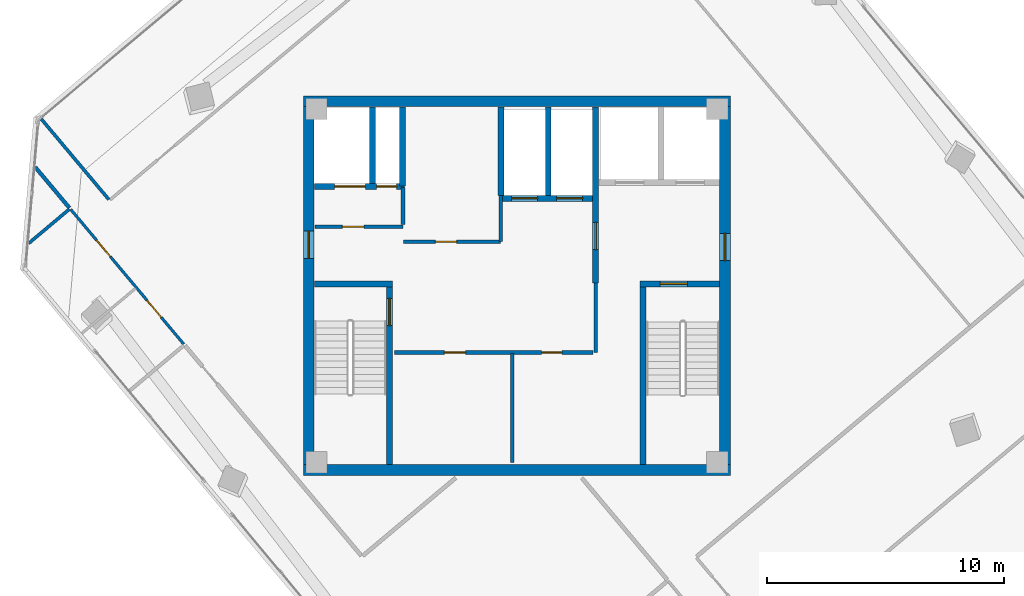
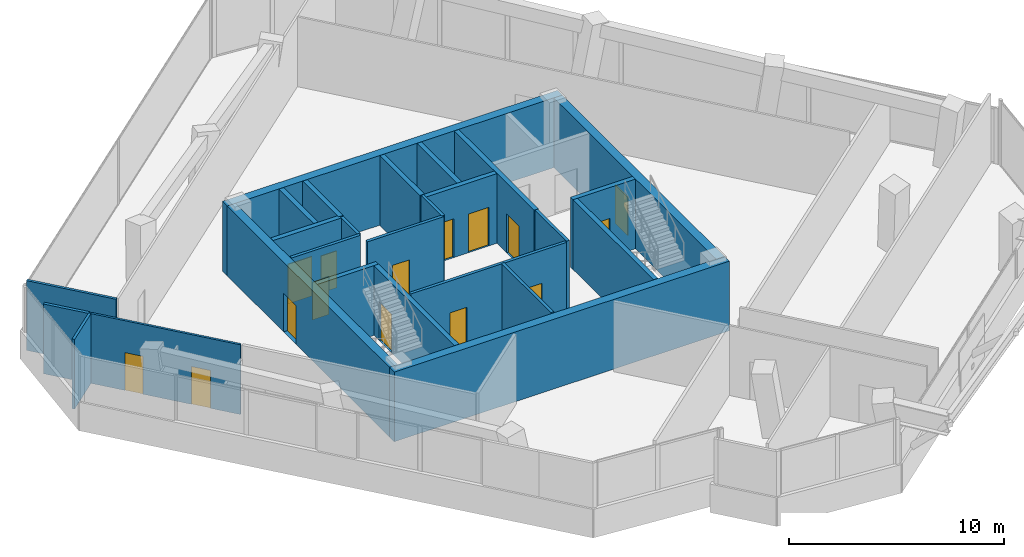
# One storey, part 13 of 17: 26 walls, 15 doors, 15 openings.
"""IFC4 building model written with IfcOpenShell, lengths in metres."""

from ifc_helpers import new_model, si_unit, direction, frame, frame_2d, origin, place, context, subcontext, project, spatial, rectangle, extrude, source, transform, mapped, material, layer, layer_set, type_object, element, fill, save


model = new_model("IFC4")

# Units and contexts
model_context = context("Model", 3, precision=1e-05, world=origin(), true_north=direction((0.0, 1.0)))
body_context = subcontext(model_context, "Body", "Model", "MODEL_VIEW")
ifc_project = project(units=[si_unit("LENGTHUNIT", "METRE"), si_unit("AREAUNIT", "SQUARE_METRE"), si_unit("VOLUMEUNIT", "CUBIC_METRE"), si_unit("PLANEANGLEUNIT", "RADIAN"), si_unit("MASSUNIT", "GRAM", prefix="KILO")], contexts=[model_context])

# Site, building, storey
site_placement = place(None, origin())
site = spatial("IfcSite", under=ifc_project, at=site_placement, CompositionType="ELEMENT")
building_placement = place(site_placement, origin())
building = spatial("IfcBuilding", under=site, at=building_placement, Name="Torre Montelarca", CompositionType="ELEMENT")
storey_placement = place(building_placement, frame((0.0, 0.0, 275.199951171875)))
storey = spatial("IfcBuildingStorey", under=building, at=storey_placement, Name="L62", CompositionType="ELEMENT", Elevation=275.199951171875)

# Wall, opening, door
ifc_material_1 = material(Name="Concrete C40/50", Category="concrete")
ifc_layer_1 = layer(ifc_material_1, 0.25, Name="Concrete C40/50", Category="concrete")
ifc_layer_set_1 = layer_set([ifc_layer_1], Name="Concrete C40/50")
wall_type_1 = type_object("IfcWallType", Name="CW-SHAFT-250", PredefinedType="SHEAR", material=ifc_layer_set_1)
wall_1_placement = place(storey_placement, frame((12.625, 24.4599609375, 0.0), z_axis=(0.0, 0.0, 1.0), x_axis=(0.0, 1.0, 0.0)))
wall_1 = element("IfcWall", 1, at=wall_1_placement, inside=storey, type_object=wall_type_1, Name="L62 Core Shear Wall SH-ST1-E", PredefinedType="SHEAR", context=body_context, shape_type="SweptSolid", body=[
    extrude(rectangle(XDim=7.489990234375, YDim=0.25, at=frame_2d((3.7451171875, 0.0))), origin(), (0.0, 0.0, 1.0), 3.9599609375),
])
opening_1_placement = place(wall_1_placement, frame((5.85009765625, 0.0, 0.0)))
opening_1 = element("IfcOpeningElement", 2, at=opening_1_placement, cuts=wall_1, Name="Opening FD-ST1", PredefinedType="OPENING", context=body_context, shape_type="SweptSolid", body=[
    extrude(rectangle(XDim=1.14990234375, YDim=2.199951171875, at=frame_2d((0.574951171875, 1.10009765625))), frame((0.0, 0.135009765625, 0.0), z_axis=(0.0, -1.0, 0.0), x_axis=(1.0, 0.0, 0.0)), (0.0, 0.0, 1.0), 0.27001953125),
])
ifc_material_2 = material(Name="Galvanized steel fire door", Category="steel")
door_type_1 = type_object("IfcDoorType", Name="DR-STAIR-115", OperationType="NOTDEFINED", PredefinedType="DOOR", material=ifc_material_2)
shared_shape_1 = source(origin(), body_context, "Body", "SweptSolid", [
    extrude(rectangle(XDim=1.14990234375, YDim=2.199951171875, at=frame_2d((0.574951171875, 1.10009765625))), frame((0.0, 0.02490234375, 0.0), z_axis=(0.0, -1.0, 0.0), x_axis=(1.0, 0.0, 0.0)), (0.0, 0.0, 1.0), 0.050048828125),
])
door_1_placement = place(opening_1_placement, origin())
door_1 = element("IfcDoor", 3, at=door_1_placement, inside=storey, type_object=door_type_1, Name="L62 Exit Stair ST1 Fire Door", OperationType="SINGLE_SWING_RIGHT", OverallHeight=2.199951171875, OverallWidth=1.14990234375, PredefinedType="DOOR", context=body_context, shape_type="MappedRepresentation", body=[
    mapped(shared_shape_1, transform((0.0, 0.0, 0.0), scale=1.0)),
])
fill(opening_1, door_1)

# Walls
wall_2_placement = place(storey_placement, frame((9.4599609375, 32.074951171875, 0.0), z_axis=(0.0, 0.0, 1.0), x_axis=(1.0, 0.0, 0.0)))
element("IfcWall", 4, at=wall_2_placement, inside=storey, type_object=wall_type_1, Name="L62 Core Shear Wall SH-ST1-N", PredefinedType="SHEAR", context=body_context, shape_type="SweptSolid", body=[
    extrude(rectangle(XDim=3.2900390625, YDim=0.25, at=frame_2d((1.64501953125, 0.0))), origin(), (0.0, 0.0, 1.0), 3.9599609375),
])
wall_3_placement = place(storey_placement, frame((23.31494140625, 24.4599609375, 0.0), z_axis=(0.0, 0.0, 1.0), x_axis=(0.0, 1.0, 0.0)))
element("IfcWall", 5, at=wall_3_placement, inside=storey, type_object=wall_type_1, Name="L62 Core Shear Wall SH-ST2-W", PredefinedType="SHEAR", context=body_context, shape_type="SweptSolid", body=[
    extrude(rectangle(XDim=7.489990234375, YDim=0.25, at=frame_2d((3.7451171875, 0.0))), origin(), (0.0, 0.0, 1.0), 3.9599609375),
])

# Wall, opening, door
wall_4_placement = place(storey_placement, frame((23.18994140625, 32.074951171875, 0.0), z_axis=(0.0, 0.0, 1.0), x_axis=(1.0, 0.0, 0.0)))
wall_4 = element("IfcWall", 6, at=wall_4_placement, inside=storey, type_object=wall_type_1, Name="L62 Core Shear Wall SH-ST2-N", PredefinedType="SHEAR", context=body_context, shape_type="SweptSolid", body=[
    extrude(rectangle(XDim=3.35009765625, YDim=0.25, at=frame_2d((1.675048828125, 0.0))), origin(), (0.0, 0.0, 1.0), 3.9599609375),
])
opening_2_placement = place(wall_4_placement, frame((0.85009765625, 0.0, 0.0)))
opening_2 = element("IfcOpeningElement", 7, at=opening_2_placement, cuts=wall_4, Name="Opening FD-ST1", PredefinedType="OPENING", context=body_context, shape_type="SweptSolid", body=[
    extrude(rectangle(XDim=1.14990234375, YDim=2.199951171875, at=frame_2d((0.574951171875, 1.10009765625))), frame((0.0, 0.135009765625, 0.0), z_axis=(0.0, -1.0, 0.0), x_axis=(1.0, 0.0, 0.0)), (0.0, 0.0, 1.0), 0.27001953125),
])
door_2_placement = place(opening_2_placement, origin())
door_2 = element("IfcDoor", 8, at=door_2_placement, inside=storey, type_object=door_type_1, Name="L62 Exit Stair ST2 Fire Door", OperationType="SINGLE_SWING_RIGHT", OverallHeight=2.199951171875, OverallWidth=1.14990234375, PredefinedType="DOOR", context=body_context, shape_type="MappedRepresentation", body=[
    mapped(shared_shape_1, transform((0.0, 0.0, 0.0), scale=1.0)),
])
fill(opening_2, door_2)

wall_5_placement = place(storey_placement, frame((21.320068359375, 32.1201171875, 0.0), z_axis=(0.0, 0.0, 1.0), x_axis=(0.0, 1.0, 0.0)))
wall_5 = element("IfcWall", 9, at=wall_5_placement, inside=storey, type_object=wall_type_1, Name="L62 Core Shear Wall SH-FFL-W", PredefinedType="SHEAR", context=body_context, shape_type="SweptSolid", body=[
    extrude(rectangle(XDim=7.419921875, YDim=0.25, at=frame_2d((3.7099609375, 0.0))), origin(), (0.0, 0.0, 1.0), 3.9599609375),
])
opening_3_placement = place(wall_5_placement, frame((1.39990234375, 0.0, 0.0)))
opening_3 = element("IfcOpeningElement", 10, at=opening_3_placement, cuts=wall_5, Name="Opening FD-LB1", PredefinedType="OPENING", context=body_context, shape_type="SweptSolid", body=[
    extrude(rectangle(XDim=1.14990234375, YDim=2.199951171875, at=frame_2d((0.574951171875, 1.10009765625))), frame((0.0, 0.135009765625, 0.0), z_axis=(0.0, -1.0, 0.0), x_axis=(1.0, 0.0, 0.0)), (0.0, 0.0, 1.0), 0.27001953125),
])
ifc_material_3 = material(Name="Acoustic timber-veneered fire door", Category="wood")
door_type_2 = type_object("IfcDoorType", Name="DR-LOBBY-115", OperationType="NOTDEFINED", PredefinedType="DOOR", material=ifc_material_3)
shared_shape_2 = source(origin(), body_context, "Body", "SweptSolid", [
    extrude(rectangle(XDim=1.14990234375, YDim=2.199951171875, at=frame_2d((0.574951171875, 1.10009765625))), frame((0.0, 0.02490234375, 0.0), z_axis=(0.0, -1.0, 0.0), x_axis=(1.0, 0.0, 0.0)), (0.0, 0.0, 1.0), 0.050048828125),
])
door_3_placement = place(opening_3_placement, origin())
door_3 = element("IfcDoor", 11, at=door_3_placement, inside=storey, type_object=door_type_2, Name="L62 Lift Lobby to Firefighting Lobby Smoke Door", OperationType="SINGLE_SWING_LEFT", OverallHeight=2.199951171875, OverallWidth=1.14990234375, PredefinedType="DOOR", context=body_context, shape_type="MappedRepresentation", body=[
    mapped(shared_shape_2, transform((0.0, 0.0, 0.0), scale=1.0)),
])
fill(opening_3, door_3)

# Wall, openings, doors
wall_6_placement = place(storey_placement, frame((9.4599609375, 36.179931640625, 0.0), z_axis=(0.0, 0.0, 1.0), x_axis=(1.0, 0.0, 0.0)))
wall_6 = element("IfcWall", 12, at=wall_6_placement, inside=storey, type_object=wall_type_1, Name="L62 Core Shear Wall SH-SV1-S", PredefinedType="SHEAR", context=body_context, shape_type="SweptSolid", body=[
    extrude(rectangle(XDim=3.7900390625, YDim=0.25, at=frame_2d((1.89501953125, 0.0))), origin(), (0.0, 0.0, 1.0), 3.9599609375),
])
opening_4_placement = place(wall_6_placement, frame((2.6201171875, 0.0, 0.0)))
opening_4 = element("IfcOpeningElement", 13, at=opening_4_placement, cuts=wall_6, Name="Opening FD-085", PredefinedType="OPENING", context=body_context, shape_type="SweptSolid", body=[
    extrude(rectangle(XDim=0.85009765625, YDim=2.10009765625, at=frame_2d((0.425048828125, 1.050048828125))), frame((0.0, 0.135009765625, 0.0), z_axis=(0.0, -1.0, 0.0), x_axis=(1.0, 0.0, 0.0)), (0.0, 0.0, 1.0), 0.27001953125),
])
opening_5_placement = place(wall_6_placement, frame((0.85009765625, 0.0, 0.0)))
opening_5 = element("IfcOpeningElement", 14, at=opening_5_placement, cuts=wall_6, Name="Opening LD-130", PredefinedType="OPENING", context=body_context, shape_type="SweptSolid", body=[
    extrude(rectangle(XDim=1.300048828125, YDim=2.25, at=frame_2d((0.64990234375, 1.125))), frame((0.0, 0.135009765625, 0.0), z_axis=(0.0, -1.0, 0.0), x_axis=(1.0, 0.0, 0.0)), (0.0, 0.0, 1.0), 0.27001953125),
])
ifc_material_4 = material(Name="Steel riser access fire door", Category="steel")
door_type_3 = type_object("IfcDoorType", Name="DR-RISER-085", OperationType="NOTDEFINED", PredefinedType="DOOR", material=ifc_material_4)
shared_shape_3 = source(origin(), body_context, "Body", "SweptSolid", [
    extrude(rectangle(XDim=0.85009765625, YDim=2.10009765625, at=frame_2d((0.425048828125, 1.050048828125))), frame((0.0, 0.02490234375, 0.0), z_axis=(0.0, -1.0, 0.0), x_axis=(1.0, 0.0, 0.0)), (0.0, 0.0, 1.0), 0.050048828125),
])
door_4_placement = place(opening_4_placement, origin())
door_4 = element("IfcDoor", 15, at=door_4_placement, inside=storey, type_object=door_type_3, Name="L62 Electrical Riser Shaft Access Door", OperationType="SINGLE_SWING_RIGHT", OverallHeight=2.10009765625, OverallWidth=0.85009765625, PredefinedType="DOOR", context=body_context, shape_type="MappedRepresentation", body=[
    mapped(shared_shape_3, transform((0.0, 0.0, 0.0), scale=1.0)),
])
fill(opening_4, door_4)
ifc_material_5 = material(Name="Brushed stainless steel AISI 316", Category="steel")
door_type_4 = type_object("IfcDoorType", Name="DR-LIFT-130", OperationType="SLIDING_TO_LEFT", PredefinedType="DOOR", material=ifc_material_5)
shared_shape_4 = source(origin(), body_context, "Body", "SweptSolid", [
    extrude(rectangle(XDim=1.300048828125, YDim=2.25, at=frame_2d((0.64990234375, 1.125))), frame((0.0, 0.02490234375, 0.0), z_axis=(0.0, -1.0, 0.0), x_axis=(1.0, 0.0, 0.0)), (0.0, 0.0, 1.0), 0.050048828125),
])
door_5_placement = place(opening_5_placement, origin())
door_5 = element("IfcDoor", 16, at=door_5_placement, inside=storey, type_object=door_type_4, Name="L62 Lift Landing Sliding Door SV-1", OperationType="SLIDING_TO_LEFT", OverallHeight=2.25, OverallWidth=1.300048828125, PredefinedType="DOOR", context=body_context, shape_type="MappedRepresentation", body=[
    mapped(shared_shape_4, transform((0.0, 0.0, 0.0), scale=1.0)),
])
fill(opening_5, door_5)

# Walls
wall_7_placement = place(storey_placement, frame((11.89990234375, 36.31005859375, 0.0), z_axis=(0.0, 0.0, 1.0), x_axis=(0.0, 1.0, 0.0)))
element("IfcWall", 17, at=wall_7_placement, inside=storey, type_object=wall_type_1, Name="L62 Core Shear Wall SH-SV1-E", PredefinedType="SHEAR", context=body_context, shape_type="SweptSolid", body=[
    extrude(rectangle(XDim=3.22998046875, YDim=0.25, at=frame_2d((1.614990234375, 0.0))), origin(), (0.0, 0.0, 1.0), 3.9599609375),
])
wall_8_placement = place(storey_placement, frame((13.179931640625, 36.199951171875, 0.0), z_axis=(0.0, 0.0, 1.0), x_axis=(0.0, 1.0, 0.0)))
element("IfcWall", 18, at=wall_8_placement, inside=storey, type_object=wall_type_1, Name="L62 Core Shear Wall SH-RSR1-E", PredefinedType="SHEAR", context=body_context, shape_type="SweptSolid", body=[
    extrude(rectangle(XDim=3.340087890625, YDim=0.25, at=frame_2d((1.669921875, 0.0))), origin(), (0.0, 0.0, 1.0), 3.9599609375),
])

# Wall, openings, doors
wall_9_placement = place(storey_placement, frame((17.320068359375, 35.679931640625, 0.0), z_axis=(0.0, 0.0, 1.0), x_axis=(1.0, 0.0, 0.0)))
wall_9 = element("IfcWall", 19, at=wall_9_placement, inside=storey, type_object=wall_type_1, Name="L62 Core Shear Wall SH-PLH-S", PredefinedType="SHEAR", context=body_context, shape_type="SweptSolid", body=[
    extrude(rectangle(XDim=3.869873046875, YDim=0.25, at=frame_2d((1.93505859375, 0.0))), origin(), (0.0, 0.0, 1.0), 3.9599609375),
])
opening_6_placement = place(wall_9_placement, frame((0.449951171875, 0.0, 0.0)))
opening_6 = element("IfcOpeningElement", 20, at=opening_6_placement, cuts=wall_9, Name="Opening LD-110", PredefinedType="OPENING", context=body_context, shape_type="SweptSolid", body=[
    extrude(rectangle(XDim=1.10009765625, YDim=2.199951171875, at=frame_2d((0.550048828125, 1.10009765625))), frame((0.0, 0.135009765625, 0.0), z_axis=(0.0, -1.0, 0.0), x_axis=(1.0, 0.0, 0.0)), (0.0, 0.0, 1.0), 0.27001953125),
])
opening_7_placement = place(wall_9_placement, frame((2.35009765625, 0.0, 0.0)))
opening_7 = element("IfcOpeningElement", 21, at=opening_7_placement, cuts=wall_9, Name="Opening LD-110", PredefinedType="OPENING", context=body_context, shape_type="SweptSolid", body=[
    extrude(rectangle(XDim=1.10009765625, YDim=2.199951171875, at=frame_2d((0.550048828125, 1.10009765625))), frame((0.0, 0.135009765625, 0.0), z_axis=(0.0, -1.0, 0.0), x_axis=(1.0, 0.0, 0.0)), (0.0, 0.0, 1.0), 0.27001953125),
])
door_type_5 = type_object("IfcDoorType", Name="DR-LIFT-110", OperationType="SLIDING_TO_LEFT", PredefinedType="DOOR", material=ifc_material_5)
shared_shape_5 = source(origin(), body_context, "Body", "SweptSolid", [
    extrude(rectangle(XDim=1.10009765625, YDim=2.199951171875, at=frame_2d((0.550048828125, 1.10009765625))), frame((0.0, 0.02490234375, 0.0), z_axis=(0.0, -1.0, 0.0), x_axis=(1.0, 0.0, 0.0)), (0.0, 0.0, 1.0), 0.050048828125),
])
door_6_placement = place(opening_6_placement, origin())
door_6 = element("IfcDoor", 22, at=door_6_placement, inside=storey, type_object=door_type_5, Name="L62 Lift Landing Sliding Door PL-H1", OperationType="SLIDING_TO_LEFT", OverallHeight=2.199951171875, OverallWidth=1.10009765625, PredefinedType="DOOR", context=body_context, shape_type="MappedRepresentation", body=[
    mapped(shared_shape_5, transform((0.0, 0.0, 0.0), scale=1.0)),
])
fill(opening_6, door_6)
door_7_placement = place(opening_7_placement, origin())
door_7 = element("IfcDoor", 23, at=door_7_placement, inside=storey, type_object=door_type_5, Name="L62 Lift Landing Sliding Door PL-H2", OperationType="SLIDING_TO_RIGHT", OverallHeight=2.199951171875, OverallWidth=1.10009765625, PredefinedType="DOOR", context=body_context, shape_type="MappedRepresentation", body=[
    mapped(shared_shape_5, transform((0.0, 0.0, 0.0), scale=1.0)),
])
fill(opening_7, door_7)

# Walls
for number, where, z_axis, x_axis, name in (
    (24, (17.320068359375, 35.81005859375, 0.0), (0.0, 0.0, 1.0), (0.0, 1.0, 0.0), "L62 Core Shear Wall SH-PLH-W"),
    (25, (19.320068359375, 35.81005859375, 0.0), (0.0, 0.0, 1.0), (0.0, 1.0, 0.0), "L62 Core Shear Wall SH-PLH-M"),
):
    element("IfcWall", number, at=place(storey_placement, frame(where, z_axis=z_axis, x_axis=x_axis)), inside=storey, type_object=wall_type_1, Name=name, PredefinedType="SHEAR", context=body_context, shape_type="SweptSolid", body=[
        extrude(rectangle(XDim=3.72998046875, YDim=0.25, at=frame_2d((1.864990234375, 0.0))), origin(), (0.0, 0.0, 1.0), 3.9599609375),
    ])

# Wall, opening, door
ifc_material_6 = material(Name="Concrete C55/67", Category="concrete")
ifc_layer_2 = layer(ifc_material_6, 0.449951171875, Name="Concrete C55/67", Category="concrete")
ifc_layer_set_2 = layer_set([ifc_layer_2], Name="Concrete C55/67")
wall_type_2 = type_object("IfcWallType", Name="CW-SHEAR-450", PredefinedType="SHEAR", material=ifc_layer_set_2)
wall_10_placement = place(storey_placement, frame((9.22509765625, 24.449951171875, 0.0), z_axis=(0.0, 0.0, 1.0), x_axis=(0.0, 1.0, 0.0)))
wall_10 = element("IfcWall", 26, at=wall_10_placement, inside=storey, type_object=wall_type_2, Name="L62 Core Shear Wall CW-W", PredefinedType="SHEAR", context=body_context, shape_type="SweptSolid", body=[
    extrude(rectangle(XDim=15.10009765625, YDim=0.449951171875, at=frame_2d((7.550048828125, 0.0))), origin(), (0.0, 0.0, 1.0), 3.9599609375),
])
opening_8_placement = place(wall_10_placement, frame((8.699951171875, 0.0, 0.0)))
opening_8 = element("IfcOpeningElement", 27, at=opening_8_placement, cuts=wall_10, Name="Opening FD-LB1", PredefinedType="OPENING", context=body_context, shape_type="SweptSolid", body=[
    extrude(rectangle(XDim=1.14990234375, YDim=2.199951171875, at=frame_2d((0.574951171875, 1.10009765625))), frame((0.0, 0.23486328125, 0.0), z_axis=(0.0, -1.0, 0.0), x_axis=(1.0, 0.0, 0.0)), (0.0, 0.0, 1.0), 0.469970703125),
])
door_8_placement = place(opening_8_placement, origin())
door_8 = element("IfcDoor", 28, at=door_8_placement, inside=storey, type_object=door_type_2, Name="L62 Passenger Lift Lobby West Corridor Fire Door", OperationType="SINGLE_SWING_RIGHT", OverallHeight=2.199951171875, OverallWidth=1.14990234375, PredefinedType="DOOR", context=body_context, shape_type="MappedRepresentation", body=[
    mapped(shared_shape_2, transform((0.0, 0.0, 0.0), scale=1.0)),
])
fill(opening_8, door_8)

wall_11_placement = place(storey_placement, frame((26.77490234375, 24.449951171875, 0.0), z_axis=(0.0, 0.0, 1.0), x_axis=(0.0, 1.0, 0.0)))
wall_11 = element("IfcWall", 29, at=wall_11_placement, inside=storey, type_object=wall_type_2, Name="L62 Core Shear Wall CW-E", PredefinedType="SHEAR", context=body_context, shape_type="SweptSolid", body=[
    extrude(rectangle(XDim=15.10009765625, YDim=0.449951171875, at=frame_2d((7.550048828125, 0.0))), origin(), (0.0, 0.0, 1.0), 3.9599609375),
])
opening_9_placement = place(wall_11_placement, frame((8.60009765625, 0.0, 0.0)))
opening_9 = element("IfcOpeningElement", 30, at=opening_9_placement, cuts=wall_11, Name="Opening FD-LB1", PredefinedType="OPENING", context=body_context, shape_type="SweptSolid", body=[
    extrude(rectangle(XDim=1.14990234375, YDim=2.199951171875, at=frame_2d((0.574951171875, 1.10009765625))), frame((0.0, 0.23486328125, 0.0), z_axis=(0.0, -1.0, 0.0), x_axis=(1.0, 0.0, 0.0)), (0.0, 0.0, 1.0), 0.469970703125),
])
door_9_placement = place(opening_9_placement, origin())
door_9 = element("IfcDoor", 31, at=door_9_placement, inside=storey, type_object=door_type_2, Name="L62 Firefighting Lift Lobby Corridor Fire Door", OperationType="SINGLE_SWING_RIGHT", OverallHeight=2.199951171875, OverallWidth=1.14990234375, PredefinedType="DOOR", context=body_context, shape_type="MappedRepresentation", body=[
    mapped(shared_shape_2, transform((0.0, 0.0, 0.0), scale=1.0)),
])
fill(opening_9, door_9)

# Walls
for number, where, z_axis, x_axis, name in (
    (32, (9.0, 24.22509765625, 0.0), (0.0, 0.0, 1.0), (1.0, 0.0, 0.0), "L62 Core Shear Wall CW-S1"),
    (33, (9.0, 39.77490234375, 0.0), (0.0, 0.0, 1.0), (1.0, 0.0, 0.0), "L62 Core Shear Wall CW-N1"),
):
    element("IfcWall", number, at=place(storey_placement, frame(where, z_axis=z_axis, x_axis=x_axis)), inside=storey, type_object=wall_type_2, Name=name, PredefinedType="SHEAR", context=body_context, shape_type="SweptSolid", body=[
        extrude(rectangle(XDim=18.0, YDim=0.449951171875, at=frame_2d((9.0, 0.0))), origin(), (0.0, 0.0, 1.0), 3.9599609375),
    ])

# Wall, opening, door
ifc_material_7 = material(Name="Gypsum plasterboard on steel stud", Category="steel")
ifc_layer_3 = layer(ifc_material_7, 0.159912109375, Name="Gypsum plasterboard on steel stud", Category="steel")
ifc_layer_set_3 = layer_set([ifc_layer_3], Name="Gypsum plasterboard on steel stud")
wall_type_3 = type_object("IfcWallType", Name="PW-FIRE-160", PredefinedType="PARTITIONING", material=ifc_layer_set_3)
wall_12_placement = place(storey_placement, frame((9.489990234375, 34.47998046875, 0.0), z_axis=(0.0, 0.0, 1.0), x_axis=(1.0, 0.0, 0.0)))
wall_12 = element("IfcWall", 34, at=wall_12_placement, inside=storey, type_object=wall_type_3, Name="L62 Interior Partition CW-L62-SVS", PredefinedType="PARTITIONING", context=body_context, shape_type="SweptSolid", body=[
    extrude(rectangle(XDim=3.699951171875, YDim=0.159912109375, at=frame_2d((1.85009765625, 0.0))), origin(), (0.0, 0.0, 1.0), 3.9599609375),
])
opening_10_placement = place(wall_12_placement, frame((1.14990234375, 0.0, 0.0)))
opening_10 = element("IfcOpeningElement", 35, at=opening_10_placement, cuts=wall_12, Name="Opening FD-090", PredefinedType="OPENING", context=body_context, shape_type="SweptSolid", body=[
    extrude(rectangle(XDim=0.89990234375, YDim=2.14990234375, at=frame_2d((0.449951171875, 1.074951171875))), frame((0.0, 0.08984375, 0.0), z_axis=(0.0, -1.0, 0.0), x_axis=(1.0, 0.0, 0.0)), (0.0, 0.0, 1.0), 0.179931640625),
])
ifc_material_8 = material(Name="Steel service fire door", Category="steel")
door_type_6 = type_object("IfcDoorType", Name="DR-FIRE-090", OperationType="NOTDEFINED", PredefinedType="DOOR", material=ifc_material_8)
shared_shape_6 = source(origin(), body_context, "Body", "SweptSolid", [
    extrude(rectangle(XDim=0.89990234375, YDim=2.14990234375, at=frame_2d((0.449951171875, 1.074951171875))), frame((0.0, 0.02490234375, 0.0), z_axis=(0.0, -1.0, 0.0), x_axis=(1.0, 0.0, 0.0)), (0.0, 0.0, 1.0), 0.050048828125),
])
door_10_placement = place(opening_10_placement, origin())
door_10 = element("IfcDoor", 36, at=door_10_placement, inside=storey, type_object=door_type_6, Name="L62 Interior Door 01", OperationType="SINGLE_SWING_RIGHT", OverallHeight=2.14990234375, OverallWidth=0.89990234375, PredefinedType="DOOR", context=body_context, shape_type="MappedRepresentation", body=[
    mapped(shared_shape_6, transform((0.0, 0.0, 0.0), scale=1.0)),
])
fill(opening_10, door_10)

# Wall
wall_13_placement = place(storey_placement, frame((13.199951171875, 34.570068359375, 0.0), z_axis=(0.0, 0.0, 1.0), x_axis=(0.0, 1.0, 0.0)))
element("IfcWall", 37, at=wall_13_placement, inside=storey, type_object=wall_type_3, Name="L62 Interior Partition CW-L62-SVE", PredefinedType="PARTITIONING", context=body_context, shape_type="SweptSolid", body=[
    extrude(rectangle(XDim=1.56982421875, YDim=0.159912109375, at=frame_2d((0.784912109375, 0.0))), origin(), (0.0, 0.0, 1.0), 3.9599609375),
])

# Wall, opening, door
wall_14_placement = place(storey_placement, frame((13.2099609375, 33.85009765625, 0.0), z_axis=(0.0, 0.0, 1.0), x_axis=(1.0, 0.0, 0.0)))
wall_14 = element("IfcWall", 38, at=wall_14_placement, inside=storey, type_object=wall_type_3, Name="L62 Interior Partition CW-L62-FRMS", PredefinedType="PARTITIONING", context=body_context, shape_type="SweptSolid", body=[
    extrude(rectangle(XDim=4.10009765625, YDim=0.159912109375, at=frame_2d((2.050048828125, 0.0))), origin(), (0.0, 0.0, 1.0), 3.9599609375),
])
opening_11_placement = place(wall_14_placement, frame((1.35009765625, 0.0, 0.0)))
opening_11 = element("IfcOpeningElement", 39, at=opening_11_placement, cuts=wall_14, Name="Opening FD-090", PredefinedType="OPENING", context=body_context, shape_type="SweptSolid", body=[
    extrude(rectangle(XDim=0.89990234375, YDim=2.14990234375, at=frame_2d((0.449951171875, 1.074951171875))), frame((0.0, 0.08984375, 0.0), z_axis=(0.0, -1.0, 0.0), x_axis=(1.0, 0.0, 0.0)), (0.0, 0.0, 1.0), 0.179931640625),
])
door_11_placement = place(opening_11_placement, origin())
door_11 = element("IfcDoor", 40, at=door_11_placement, inside=storey, type_object=door_type_6, Name="L62 Interior Door 02", OperationType="SINGLE_SWING_LEFT", OverallHeight=2.14990234375, OverallWidth=0.89990234375, PredefinedType="DOOR", context=body_context, shape_type="MappedRepresentation", body=[
    mapped(shared_shape_6, transform((0.0, 0.0, 0.0), scale=1.0)),
])
fill(opening_11, door_11)

# Wall
wall_15_placement = place(storey_placement, frame((17.320068359375, 33.860107421875, 0.0), z_axis=(0.0, 0.0, 1.0), x_axis=(0.0, 1.0, 0.0)))
element("IfcWall", 41, at=wall_15_placement, inside=storey, type_object=wall_type_3, Name="L62 Interior Partition CW-L62-FRME", PredefinedType="PARTITIONING", context=body_context, shape_type="SweptSolid", body=[
    extrude(rectangle(XDim=1.929931640625, YDim=0.159912109375, at=frame_2d((0.96484375, 0.0))), origin(), (0.0, 0.0, 1.0), 3.9599609375),
])

# Wall, openings, doors
wall_16_placement = place(storey_placement, frame((12.840087890625, 29.179931640625, 0.0), z_axis=(0.0, 0.0, 1.0), x_axis=(1.0, 0.0, 0.0)))
wall_16 = element("IfcWall", 42, at=wall_16_placement, inside=storey, type_object=wall_type_3, Name="L62 Interior Partition CW-L62-FRDN", PredefinedType="PARTITIONING", context=body_context, shape_type="SweptSolid", body=[
    extrude(rectangle(XDim=8.369873046875, YDim=0.159912109375, at=frame_2d((4.18505859375, 0.0))), origin(), (0.0, 0.0, 1.0), 3.9599609375),
])
opening_12_placement = place(wall_16_placement, frame((2.10009765625, 0.0, 0.0)))
opening_12 = element("IfcOpeningElement", 43, at=opening_12_placement, cuts=wall_16, Name="Opening FD-090", PredefinedType="OPENING", context=body_context, shape_type="SweptSolid", body=[
    extrude(rectangle(XDim=0.89990234375, YDim=2.14990234375, at=frame_2d((0.449951171875, 1.074951171875))), frame((0.0, 0.08984375, 0.0), z_axis=(0.0, -1.0, 0.0), x_axis=(1.0, 0.0, 0.0)), (0.0, 0.0, 1.0), 0.179931640625),
])
opening_13_placement = place(wall_16_placement, frame((6.199951171875, 0.0, 0.0)))
opening_13 = element("IfcOpeningElement", 44, at=opening_13_placement, cuts=wall_16, Name="Opening FD-085", PredefinedType="OPENING", context=body_context, shape_type="SweptSolid", body=[
    extrude(rectangle(XDim=0.85009765625, YDim=2.10009765625, at=frame_2d((0.425048828125, 1.050048828125))), frame((0.0, 0.08984375, 0.0), z_axis=(0.0, -1.0, 0.0), x_axis=(1.0, 0.0, 0.0)), (0.0, 0.0, 1.0), 0.179931640625),
])
door_12_placement = place(opening_13_placement, origin())
door_12 = element("IfcDoor", 45, at=door_12_placement, inside=storey, type_object=door_type_3, Name="L62 Interior Door 04", OperationType="SINGLE_SWING_LEFT", OverallHeight=2.10009765625, OverallWidth=0.85009765625, PredefinedType="DOOR", context=body_context, shape_type="MappedRepresentation", body=[
    mapped(shared_shape_3, transform((0.0, 0.0, 0.0), scale=1.0)),
])
fill(opening_13, door_12)
door_13_placement = place(opening_12_placement, origin())
door_13 = element("IfcDoor", 46, at=door_13_placement, inside=storey, type_object=door_type_6, Name="L62 Interior Door 03", OperationType="SINGLE_SWING_RIGHT", OverallHeight=2.14990234375, OverallWidth=0.89990234375, PredefinedType="DOOR", context=body_context, shape_type="MappedRepresentation", body=[
    mapped(shared_shape_6, transform((0.0, 0.0, 0.0), scale=1.0)),
])
fill(opening_12, door_13)

# Walls
wall_17_placement = place(storey_placement, frame((17.800048828125, 24.5400390625, 0.0), z_axis=(0.0, 0.0, 1.0), x_axis=(0.0, 1.0, 0.0)))
element("IfcWall", 47, at=wall_17_placement, inside=storey, type_object=wall_type_3, Name="L62 Interior Partition CW-L62-FRD1", PredefinedType="PARTITIONING", context=body_context, shape_type="SweptSolid", body=[
    extrude(rectangle(XDim=4.599853515625, YDim=0.159912109375, at=frame_2d((2.2998046875, 0.0))), origin(), (0.0, 0.0, 1.0), 3.9599609375),
])
wall_18_placement = place(storey_placement, frame((21.320068359375, 29.18994140625, 0.0), z_axis=(0.0, 0.0, 1.0), x_axis=(0.0, 1.0, 0.0)))
element("IfcWall", 48, at=wall_18_placement, inside=storey, type_object=wall_type_3, Name="L62 Interior Partition CW-L62-FRE", PredefinedType="PARTITIONING", context=body_context, shape_type="SweptSolid", body=[
    extrude(rectangle(XDim=2.920166015625, YDim=0.159912109375, at=frame_2d((1.4599609375, 0.0))), origin(), (0.0, 0.0, 1.0), 3.9599609375),
])
wall_19_placement = place(storey_placement, frame((-2.3115234375, 36.994873046875, 0.0), z_axis=(0.0, 0.0, 1.0), x_axis=(0.642783398336, -0.766047976842, 0.0)))
element("IfcWall", 49, at=wall_19_placement, inside=storey, type_object=wall_type_3, Name="L62 Interior Partition W-L62-SOCCW", PredefinedType="PARTITIONING", context=body_context, shape_type="SweptSolid", body=[
    extrude(rectangle(XDim=2.241943359375, YDim=0.159912109375, at=frame_2d((1.12109375, 0.0))), origin(), (0.0, 0.0, 1.0), 3.9599609375),
])

# Wall, openings, doors
ifc_layer_4 = layer(ifc_material_7, 0.114990234375, Name="Gypsum plasterboard on steel stud", Category="steel")
ifc_layer_set_4 = layer_set([ifc_layer_4], Name="Gypsum plasterboard on steel stud")
wall_type_4 = type_object("IfcWallType", Name="PW-PART-115", PredefinedType="PARTITIONING", material=ifc_layer_set_4)
wall_20_placement = place(storey_placement, frame((-0.81884765625, 35.21630859375, 0.0), z_axis=(0.0, 0.0, 1.0), x_axis=(0.642772999209, -0.766056702528, 0.0)))
wall_20 = element("IfcWall", 50, at=wall_20_placement, inside=storey, type_object=wall_type_4, Name="L62 Interior Partition W-L62-WCN", PredefinedType="PARTITIONING", context=body_context, shape_type="SweptSolid", body=[
    extrude(rectangle(XDim=7.420166015625, YDim=0.114990234375, at=frame_2d((3.7099609375, 0.0))), origin(), (0.0, 0.0, 1.0), 3.9599609375),
])
opening_14_placement = place(wall_20_placement, frame((1.699951171875, 0.0, 0.0)))
opening_14 = element("IfcOpeningElement", 51, at=opening_14_placement, cuts=wall_20, Name="Opening ID-090", PredefinedType="OPENING", context=body_context, shape_type="SweptSolid", body=[
    extrude(rectangle(XDim=0.89990234375, YDim=2.14990234375, at=frame_2d((0.449951171875, 1.074951171875))), frame((0.0, 0.0673828125, 0.0), z_axis=(0.0, -1.0, 0.0), x_axis=(1.0, 0.0, 0.0)), (0.0, 0.0, 1.0), 0.135009765625),
])
opening_15_placement = place(wall_20_placement, frame((5.0, 0.0, 0.0)))
opening_15 = element("IfcOpeningElement", 52, at=opening_15_placement, cuts=wall_20, Name="Opening ID-095", PredefinedType="OPENING", context=body_context, shape_type="SweptSolid", body=[
    extrude(rectangle(XDim=0.949951171875, YDim=2.14990234375, at=frame_2d((0.47509765625, 1.074951171875))), frame((0.0, 0.0673828125, 0.0), z_axis=(0.0, -1.0, 0.0), x_axis=(1.0, 0.0, 0.0)), (0.0, 0.0, 1.0), 0.135009765625),
])
ifc_material_9 = material(Name="Hardwood acoustic timber veneer", Category="wood")
door_type_7 = type_object("IfcDoorType", Name="DR-INT-090", OperationType="NOTDEFINED", PredefinedType="DOOR", material=ifc_material_9)
shared_shape_7 = source(origin(), body_context, "Body", "SweptSolid", [
    extrude(rectangle(XDim=0.89990234375, YDim=2.14990234375, at=frame_2d((0.449951171875, 1.074951171875))), frame((0.0, 0.02490234375, 0.0), z_axis=(0.0, -1.0, 0.0), x_axis=(1.0, 0.0, 0.0)), (0.0, 0.0, 1.0), 0.050048828125),
])
door_14_placement = place(opening_14_placement, origin())
door_14 = element("IfcDoor", 53, at=door_14_placement, inside=storey, type_object=door_type_7, Name="L62 Interior Door 05", OperationType="SINGLE_SWING_LEFT", OverallHeight=2.14990234375, OverallWidth=0.89990234375, PredefinedType="DOOR", context=body_context, shape_type="MappedRepresentation", body=[
    mapped(shared_shape_7, transform((0.0, 0.0, 0.0), scale=1.0)),
])
fill(opening_14, door_14)
door_type_8 = type_object("IfcDoorType", Name="DR-INT-095", OperationType="NOTDEFINED", PredefinedType="DOOR", material=ifc_material_9)
shared_shape_8 = source(origin(), body_context, "Body", "SweptSolid", [
    extrude(rectangle(XDim=0.949951171875, YDim=2.14990234375, at=frame_2d((0.47509765625, 1.074951171875))), frame((0.0, 0.02490234375, 0.0), z_axis=(0.0, -1.0, 0.0), x_axis=(1.0, 0.0, 0.0)), (0.0, 0.0, 1.0), 0.050048828125),
])
door_15_placement = place(opening_15_placement, origin())
door_15 = element("IfcDoor", 54, at=door_15_placement, inside=storey, type_object=door_type_8, Name="L62 Interior Door 06", OperationType="SINGLE_SWING_RIGHT", OverallHeight=2.14990234375, OverallWidth=0.949951171875, PredefinedType="DOOR", context=body_context, shape_type="MappedRepresentation", body=[
    mapped(shared_shape_8, transform((0.0, 0.0, 0.0), scale=1.0)),
])
fill(opening_15, door_15)

# Walls
ifc_layer_5 = layer(ifc_material_7, 0.135009765625, Name="Gypsum plasterboard on steel stud", Category="steel")
ifc_layer_set_5 = layer_set([ifc_layer_5], Name="Gypsum plasterboard on steel stud")
wall_type_5 = type_object("IfcWallType", Name="PW-PART-135", PredefinedType="PARTITIONING", material=ifc_layer_set_5)
wall_21_placement = place(storey_placement, frame((-2.5927734375, 33.77978515625, 0.0), z_axis=(0.0, 0.0, 1.0), x_axis=(0.765994359698, 0.642847292062, 0.0)))
element("IfcWall", 55, at=wall_21_placement, inside=storey, type_object=wall_type_5, Name="L62 Interior Partition W-L62-WCW", PredefinedType="PARTITIONING", context=body_context, shape_type="SweptSolid", body=[
    extrude(rectangle(XDim=2.2421875, YDim=0.135009765625, at=frame_2d((1.12109375, 0.0))), origin(), (0.0, 0.0, 1.0), 3.9599609375),
])
wall_22_placement = place(storey_placement, frame((-2.0546875, 39.0224609375, 0.0), z_axis=(0.0, 0.0, 1.0), x_axis=(0.642777132802, -0.766053234147, 0.0)))
element("IfcWall", 56, at=wall_22_placement, inside=storey, type_object=wall_type_5, Name="L62 Interior Partition W-L62-WWGS", PredefinedType="PARTITIONING", context=body_context, shape_type="SweptSolid", body=[
    extrude(rectangle(XDim=4.43017578125, YDim=0.135009765625, at=frame_2d((2.215087890625, 0.0))), origin(), (0.0, 0.0, 1.0), 3.9599609375),
])

save(model, "model.ifc")
